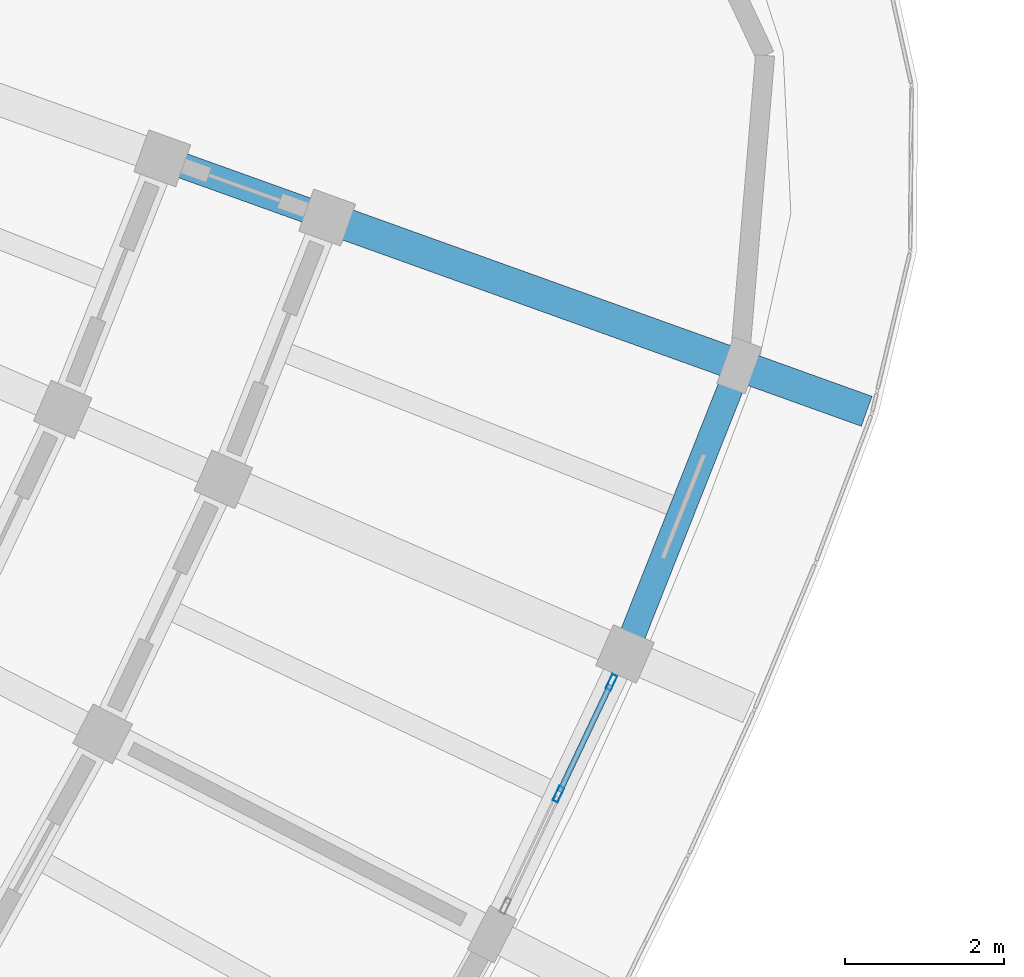
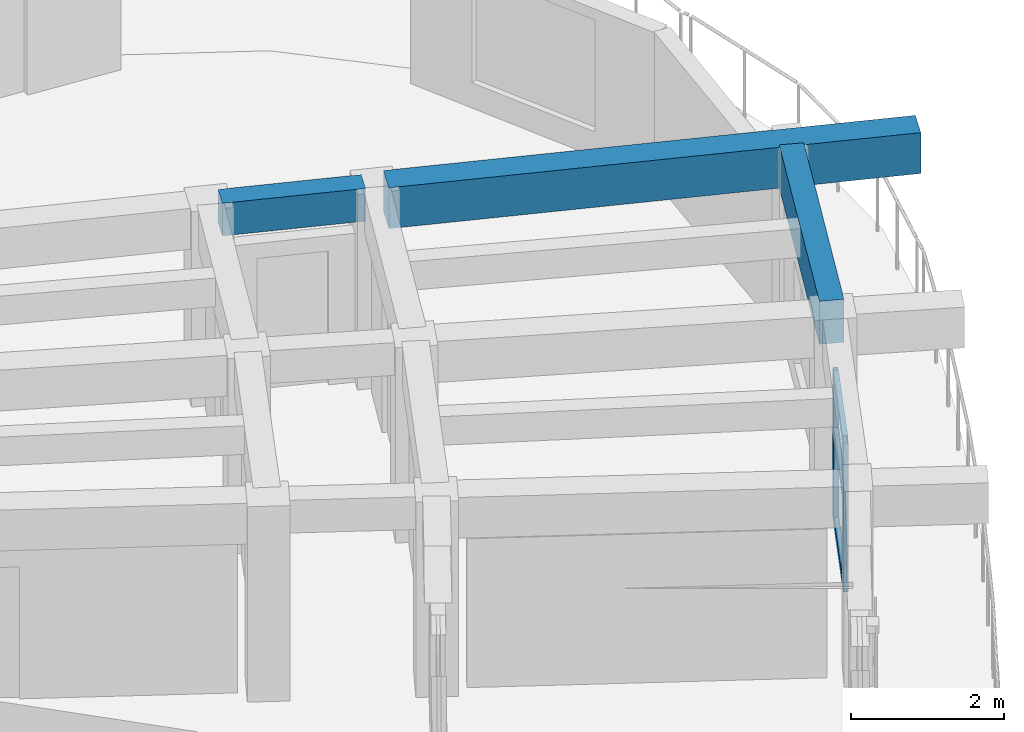
# One storey, part 23 of 81: 5 members, 3 beams, 1 element without a shape of its own.
"""IFC4 building model written with IfcOpenShell, lengths in metres."""

from ifc_helpers import new_model, si_unit, direction, frame, origin, origin_2d, place, context, subcontext, project, spatial, rectangle, hollow_rectangle, extrude, material, material_profile, profile_set, type_object, element, aggregate, save


model = new_model("IFC4")

# Units and contexts
model_context = context("Model", 3, precision=1e-05, world=origin(), true_north=direction((0.0, 1.0)))
body_context = subcontext(model_context, "Body", "Model", "MODEL_VIEW")
ifc_project = project(units=[si_unit("LENGTHUNIT", "METRE"), si_unit("AREAUNIT", "SQUARE_METRE"), si_unit("VOLUMEUNIT", "CUBIC_METRE"), si_unit("PLANEANGLEUNIT", "RADIAN"), si_unit("MASSUNIT", "GRAM", prefix="KILO")], contexts=[model_context])

# Site, building, storey
site_placement = place(None, origin())
site = spatial("IfcSite", under=ifc_project, at=site_placement, CompositionType="ELEMENT")
building_placement = place(site_placement, origin())
building = spatial("IfcBuilding", under=site, at=building_placement, Name="Tanwirah Colonnade Gardens", CompositionType="ELEMENT")
storey_placement = place(building_placement, frame((0.0, 0.0, 18.919921875)))
storey = spatial("IfcBuildingStorey", under=building, at=storey_placement, Name="L05", CompositionType="ELEMENT", Elevation=18.919921875)

# Beams
ifc_material_1 = material(Name="Precast concrete C40/50", Category="concrete")
ifc_material_profile_1 = material_profile(ifc_material_1, rectangle(XDim=0.320068359375, YDim=0.52001953125, at=origin_2d()), Name="PC-BM 320x520")
ifc_profile_set_1 = profile_set([ifc_material_profile_1], Name="Precast concrete C40/50")
beam_type_1 = type_object("IfcBeamType", Name="BM-PC320", PredefinedType="BEAM", material=ifc_profile_set_1)
beam_1_placement = place(storey_placement, frame((169.941162109375, 46.92822265625, 2.85009765625), z_axis=(0.941214575511, -0.337809299525, 0.0), x_axis=(0.337809299525, 0.941214575511, 0.0)))
element("IfcBeam", 1, at=beam_1_placement, inside=storey, type_object=beam_type_1, Name="Block D L05 Corridor Tie Beam 15", PredefinedType="BEAM", context=body_context, shape_type="SweptSolid", body=[
    extrude(rectangle(XDim=0.320068359375, YDim=0.52001953125, at=origin_2d()), origin(), (0.0, 0.0, 1.0), 1.89990234375),
])
ifc_material_2 = material(Name="Precast concrete C45/55", Category="concrete")
ifc_material_profile_2 = material_profile(ifc_material_2, rectangle(XDim=0.39990234375, YDim=0.64990234375, at=origin_2d()), Name="PC-BM 400x650")
ifc_profile_set_2 = profile_set([ifc_material_profile_2], Name="Precast concrete C45/55")
beam_type_2 = type_object("IfcBeamType", Name="BM-PC400", PredefinedType="BEAM", material=ifc_profile_set_2)
beam_2_placement = place(storey_placement, frame((172.01171875, 46.184814453125, 2.78515625), z_axis=(0.941174903614, -0.337919814168, 0.0), x_axis=(0.337919814168, 0.941174903614, 0.0)))
element("IfcBeam", 2, at=beam_2_placement, inside=storey, type_object=beam_type_2, Name="Block D L05 Outer Radial Precast Girder 15", PredefinedType="BEAM", context=body_context, shape_type="SweptSolid", body=[
    extrude(rectangle(XDim=0.39990234375, YDim=0.64990234375, at=origin_2d()), origin(), (0.0, 0.0, 1.0), 7.050048828125),
])

# Curtain wall, members
ifc_material_3 = material(Name="Bronze-anodised aluminium and solar-control low-E glass", Category="aluminium")
curtain_wall_type = type_object("IfcCurtainWallType", Name="CW-LOB", PredefinedType="NOTDEFINED", material=ifc_material_3)
curtain_wall_placement = place(storey_placement, origin())
curtain_wall = element("IfcCurtainWall", 3, at=curtain_wall_placement, inside=storey, type_object=curtain_wall_type, Name="Curtain Wall CW-D-L05-OUT-13", PredefinedType="NOTDEFINED")
ifc_material_4 = material(Name="Bronze-anodised aluminium", Category="aluminium")
ifc_material_profile_3 = material_profile(ifc_material_4, hollow_rectangle(XDim=0.070068359375, YDim=0.199951171875, WallThickness=0.00390625, at=origin_2d()), Name="CW-MUL 70x200x4")
ifc_profile_set_3 = profile_set([ifc_material_profile_3], Name="Bronze-anodised aluminium")
member_type_1 = type_object("IfcMemberType", Name="CWM-70x200", PredefinedType="MULLION", material=ifc_profile_set_3)
member_1_placement = place(storey_placement, frame((174.77587890625, 38.994140625, 0.0), z_axis=(0.0, 0.0, 1.0), x_axis=(-0.903522749404, 0.428540128004, 0.0)))
member_1 = element("IfcMember", 4, at=member_1_placement, type_object=member_type_1, Name="CW-LOB mullion 2", PredefinedType="MULLION", context=body_context, shape_type="SweptSolid", body=[
    extrude(hollow_rectangle(XDim=0.070068359375, YDim=0.199951171875, WallThickness=0.00390625, at=origin_2d()), origin(), (0.0, 0.0, 1.0), 2.35498046875),
])
member_2_placement = place(storey_placement, frame((175.441650390625, 40.397705078125, 0.0), z_axis=(0.0, 0.0, 1.0), x_axis=(-0.903522749404, 0.428540128004, 0.0)))
member_2 = element("IfcMember", 5, at=member_2_placement, type_object=member_type_1, Name="CW-LOB mullion 3", PredefinedType="MULLION", context=body_context, shape_type="SweptSolid", body=[
    extrude(hollow_rectangle(XDim=0.070068359375, YDim=0.199951171875, WallThickness=0.00390625, at=origin_2d()), origin(), (0.0, 0.0, 1.0), 2.35498046875),
])
ifc_material_profile_4 = material_profile(ifc_material_4, hollow_rectangle(XDim=0.070068359375, YDim=0.14990234375, WallThickness=0.00390625, at=origin_2d()), Name="CW-TRN 70x150x4")
ifc_profile_set_4 = profile_set([ifc_material_profile_4], Name="Bronze-anodised aluminium")
member_type_2 = type_object("IfcMemberType", Name="CWT-70x150", PredefinedType="USERDEFINED", material=ifc_profile_set_4)
member_3_placement = place(storey_placement, frame((174.791015625, 39.025634765625, 0.03515625), z_axis=(0.428553203903, 0.903516547399, 0.0), x_axis=(-0.903516547399, 0.428553203903, 0.0)))
member_3 = element("IfcMember", 6, at=member_3_placement, type_object=member_type_2, Name="CW-LOB transom 2.1", ObjectType="TRANSOM", PredefinedType="USERDEFINED", context=body_context, shape_type="SweptSolid", body=[
    extrude(hollow_rectangle(XDim=0.070068359375, YDim=0.14990234375, WallThickness=0.00390625, at=origin_2d()), origin(), (0.0, 0.0, 1.0), 1.4833984375),
])
member_4_placement = place(storey_placement, frame((174.791015625, 39.025634765625, 1.460205078125), z_axis=(0.428553203903, 0.903516547399, 0.0), x_axis=(-0.903516547399, 0.428553203903, 0.0)))
member_4 = element("IfcMember", 7, at=member_4_placement, type_object=member_type_2, Name="CW-LOB transom 2.2", ObjectType="TRANSOM", PredefinedType="USERDEFINED", context=body_context, shape_type="SweptSolid", body=[
    extrude(hollow_rectangle(XDim=0.070068359375, YDim=0.14990234375, WallThickness=0.00390625, at=origin_2d()), origin(), (0.0, 0.0, 1.0), 1.4833984375),
])
member_5_placement = place(storey_placement, frame((174.791015625, 39.025634765625, 2.320068359375), z_axis=(0.428553203903, 0.903516547399, 0.0), x_axis=(-0.903516547399, 0.428553203903, 0.0)))
member_5 = element("IfcMember", 8, at=member_5_placement, type_object=member_type_2, Name="CW-LOB transom 2.3", ObjectType="TRANSOM", PredefinedType="USERDEFINED", context=body_context, shape_type="SweptSolid", body=[
    extrude(hollow_rectangle(XDim=0.070068359375, YDim=0.14990234375, WallThickness=0.00390625, at=origin_2d()), origin(), (0.0, 0.0, 1.0), 1.4833984375),
])
aggregate(curtain_wall, [member_1, member_2, member_3, member_4, member_5])

# Beam
ifc_material_profile_5 = material_profile(ifc_material_1, rectangle(XDim=0.324951171875, YDim=0.68505859375, at=origin_2d()), Name="PC-SP 325x685")
ifc_profile_set_5 = profile_set([ifc_material_profile_5], Name="Precast concrete C40/50")
beam_type_3 = type_object("IfcBeamType", Name="SP-PC260", PredefinedType="SPANDREL", material=ifc_profile_set_5)
beam_3_placement = place(storey_placement, frame((175.666259765625, 40.89404296875, 2.767578125), z_axis=(0.368521552478, 0.929619204491, 0.0), x_axis=(-0.929619204491, 0.368521552478, 0.0)))
element("IfcBeam", 9, at=beam_3_placement, inside=storey, type_object=beam_type_3, Name="Block D L05 Circumferential Beam 14-R3", PredefinedType="SPANDREL", context=body_context, shape_type="SweptSolid", body=[
    extrude(rectangle(XDim=0.324951171875, YDim=0.68505859375, at=origin_2d()), origin(), (0.0, 0.0, 1.0), 3.5966796875),
])

save(model, "model.ifc")
